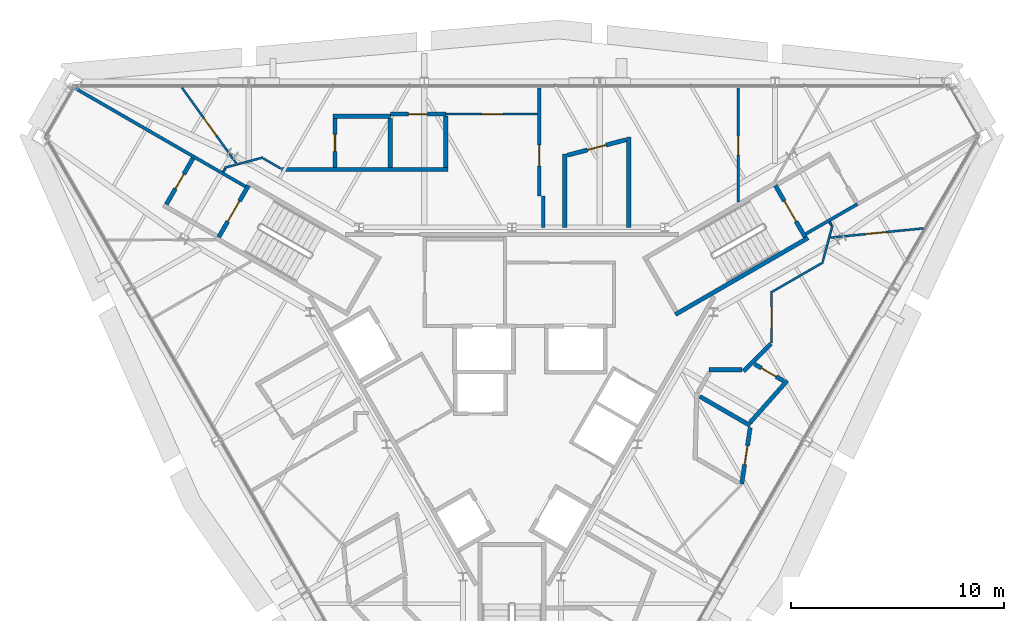
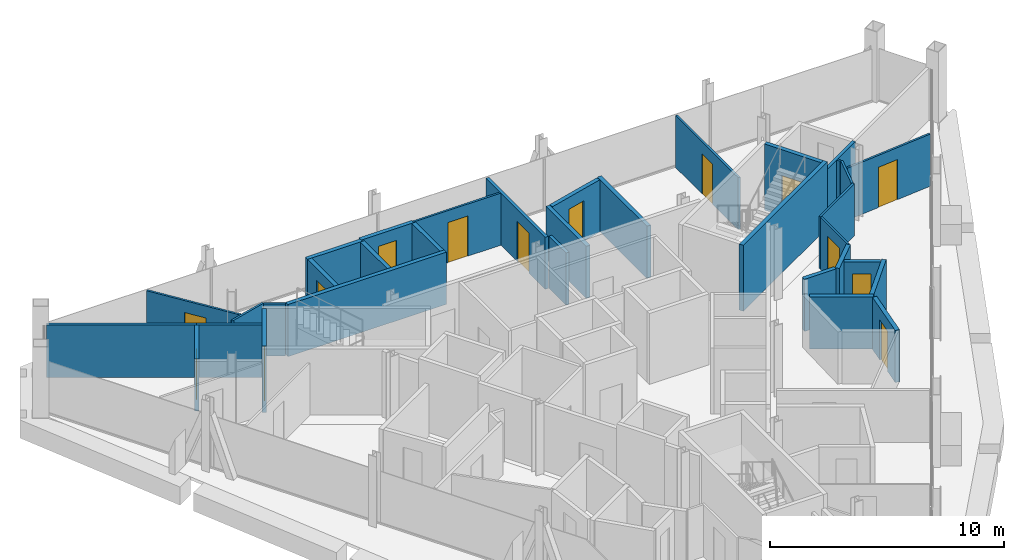
# One storey, part 10 of 13: 35 walls, 14 doors, 14 openings.
"""IFC4 building model written with IfcOpenShell, lengths in metres."""

from ifc_helpers import new_model, si_unit, direction, frame, frame_2d, origin, place, context, subcontext, project, spatial, rectangle, extrude, material, layer, layer_set, type_object, element, fill, save


model = new_model("IFC4")

# Units and contexts
model_context = context("Model", 3, precision=1e-05, world=origin(), true_north=direction((0.0, 1.0)))
body_context = subcontext(model_context, "Body", "Model", "MODEL_VIEW")
ifc_project = project(units=[si_unit("LENGTHUNIT", "METRE"), si_unit("AREAUNIT", "SQUARE_METRE"), si_unit("VOLUMEUNIT", "CUBIC_METRE"), si_unit("PLANEANGLEUNIT", "RADIAN"), si_unit("MASSUNIT", "GRAM", prefix="KILO")], contexts=[model_context])

# Site, building, storey
site_placement = place(None, origin())
site = spatial("IfcSite", under=ifc_project, at=site_placement, CompositionType="ELEMENT")
building_placement = place(site_placement, origin())
building = spatial("IfcBuilding", under=site, at=building_placement, Name="Verrane Prism Tower", CompositionType="ELEMENT")
storey_placement = place(building_placement, frame((0.0, 0.0, 282.5)))
storey = spatial("IfcBuildingStorey", under=building, at=storey_placement, Name="L71", CompositionType="ELEMENT", Elevation=282.5)

# Wall, opening, door
ifc_material_1 = material(Name="Concrete C40/50", Category="concrete")
ifc_layer_1 = layer(ifc_material_1, 0.199951171875)
ifc_layer_set_1 = layer_set([ifc_layer_1], Name="CW-200 stair core wall concrete C40/50 3 h")
wall_type_1 = type_object("IfcWallType", Name="CW-200 stair core wall concrete C40/50 3 h", PredefinedType="PARTITIONING", material=ifc_layer_set_1)
wall_1_placement = place(storey_placement, frame((13.777099609375, 6.337646484375, 0.0), z_axis=(0.0, 0.0, 1.0), x_axis=(-0.500049511043, 0.865996816683, 0.0)))
wall_1 = element("IfcWall", 1, at=wall_1_placement, inside=storey, type_object=wall_type_1, Name="Stair 1 enclosure wall", PredefinedType="PARTITIONING", context=body_context, shape_type="SweptSolid", body=[
    extrude(rectangle(XDim=2.800048828125, YDim=0.199951171875, at=frame_2d((1.39990234375, 0.0))), origin(), (0.0, 0.0, 1.0), 3.449951171875),
])
opening_1_placement = place(wall_1_placement, frame((0.849853515625, 0.0, 0.0)))
opening_1 = element("IfcOpeningElement", 2, at=opening_1_placement, cuts=wall_1, Name="Opening D69500", PredefinedType="OPENING", context=body_context, shape_type="SweptSolid", body=[
    extrude(rectangle(XDim=1.10009765625, YDim=2.10009765625, at=frame_2d((0.550048828125, 1.050048828125))), frame((0.0, 0.10986328125, 0.0), z_axis=(0.0, -1.0, 0.0), x_axis=(1.0, 0.0, 0.0)), (0.0, 0.0, 1.0), 0.219970703125),
])
ifc_material_2 = material(Name="Timber veneered door leaf", Category="wood")
door_type_1 = type_object("IfcDoorType", Name="DR-1100x2100 FD90 single leaf stair", OperationType="NOTDEFINED", PredefinedType="DOOR", material=ifc_material_2)
door_1_placement = place(opening_1_placement, origin())
door_1 = element("IfcDoor", 3, at=door_1_placement, inside=storey, type_object=door_type_1, Name="Stair 1 door", OperationType="SINGLE_SWING_LEFT", OverallHeight=2.10009765625, OverallWidth=1.10009765625, PredefinedType="DOOR", context=body_context, shape_type="SweptSolid", body=[
    extrude(rectangle(XDim=1.10009765625, YDim=2.10009765625, at=frame_2d((0.550048828125, 1.050048828125))), frame((0.0, 0.02490234375, 0.0), z_axis=(0.0, -1.0, 0.0), x_axis=(1.0, 0.0, 0.0)), (0.0, 0.0, 1.0), 0.050048828125),
])
fill(opening_1, door_1)

# Wall
wall_2_placement = place(storey_placement, frame((7.67822265625, 2.700927734375, 0.0), z_axis=(0.0, 0.0, 1.0), x_axis=(0.866018442252, 0.500012057535, 0.0)))
element("IfcWall", 4, at=wall_2_placement, inside=storey, type_object=wall_type_1, Name="Stair 1 enclosure wall", PredefinedType="PARTITIONING", context=body_context, shape_type="SweptSolid", body=[
    extrude(rectangle(XDim=7.199951171875, YDim=0.199951171875, at=frame_2d((3.60009765625, 0.0))), origin(), (0.0, 0.0, 1.0), 3.449951171875),
])

# Wall, opening, door
wall_3_placement = place(storey_placement, frame((-12.376953125, 8.762451171875, 0.0), z_axis=(0.0, 0.0, 1.0), x_axis=(-0.500049511043, -0.865996816683, 0.0)))
wall_3 = element("IfcWall", 5, at=wall_3_placement, inside=storey, type_object=wall_type_1, Name="Stair 2 enclosure wall", PredefinedType="PARTITIONING", context=body_context, shape_type="SweptSolid", body=[
    extrude(rectangle(XDim=2.800048828125, YDim=0.199951171875, at=frame_2d((1.39990234375, 0.0))), origin(), (0.0, 0.0, 1.0), 3.449951171875),
])
opening_2_placement = place(wall_3_placement, frame((0.849853515625, 0.0, 0.0)))
opening_2 = element("IfcOpeningElement", 6, at=opening_2_placement, cuts=wall_3, Name="Opening D69501", PredefinedType="OPENING", context=body_context, shape_type="SweptSolid", body=[
    extrude(rectangle(XDim=1.10009765625, YDim=2.10009765625, at=frame_2d((0.550048828125, 1.050048828125))), frame((0.0, 0.10986328125, 0.0), z_axis=(0.0, -1.0, 0.0), x_axis=(1.0, 0.0, 0.0)), (0.0, 0.0, 1.0), 0.219970703125),
])
door_2_placement = place(opening_2_placement, origin())
door_2 = element("IfcDoor", 7, at=door_2_placement, inside=storey, type_object=door_type_1, Name="Stair 2 door", OperationType="SINGLE_SWING_RIGHT", OverallHeight=2.10009765625, OverallWidth=1.10009765625, PredefinedType="DOOR", context=body_context, shape_type="SweptSolid", body=[
    extrude(rectangle(XDim=1.10009765625, YDim=2.10009765625, at=frame_2d((0.550048828125, 1.050048828125))), frame((0.0, 0.02490234375, 0.0), z_axis=(0.0, -1.0, 0.0), x_axis=(1.0, 0.0, 0.0)), (0.0, 0.0, 1.0), 0.050048828125),
])
fill(opening_2, door_2)

ifc_material_3 = material(Name="Gypsum board partition", Category="other")
ifc_layer_2 = layer(ifc_material_3, 0.10009765625)
ifc_layer_set_2 = layer_set([ifc_layer_2], Name="PW-100 room partition")
wall_type_2 = type_object("IfcWallType", Name="PW-100 room partition", PredefinedType="PARTITIONING", material=ifc_layer_set_2)
wall_4_placement = place(storey_placement, frame((-12.957275390625, 9.811767578125, 0.0), z_axis=(0.0, 0.0, 1.0), x_axis=(-0.58313691272, 0.812373892381, 0.0)))
wall_4 = element("IfcWall", 8, at=wall_4_placement, inside=storey, type_object=wall_type_2, Name="Room partition 006", PredefinedType="PARTITIONING", context=body_context, shape_type="SweptSolid", body=[
    extrude(rectangle(XDim=4.375, YDim=0.10009765625, at=frame_2d((2.1875, 0.0))), origin(), (0.0, 0.0, 1.0), 2.722900390625),
])
opening_3_placement = place(wall_4_placement, frame((1.59033203125, 0.0, 0.0)))
opening_3 = element("IfcOpeningElement", 9, at=opening_3_placement, cuts=wall_4, Name="Opening D69017", PredefinedType="OPENING", context=body_context, shape_type="SweptSolid", body=[
    extrude(rectangle(XDim=1.0, YDim=2.10009765625, at=frame_2d((0.5, 1.050048828125))), frame((0.0, 0.06005859375, 0.0), z_axis=(0.0, -1.0, 0.0), x_axis=(1.0, 0.0, 0.0)), (0.0, 0.0, 1.0), 0.1201171875),
])
ifc_material_4 = material(Name="Timber veneered door leaf", Category="wood")
door_type_2 = type_object("IfcDoorType", Name="DR-1000x2100 single leaf inner", OperationType="NOTDEFINED", PredefinedType="DOOR", material=ifc_material_4)
door_3_placement = place(opening_3_placement, origin())
door_3 = element("IfcDoor", 10, at=door_3_placement, inside=storey, type_object=door_type_2, Name="Living And Dining Room door", OperationType="SINGLE_SWING_RIGHT", OverallHeight=2.10009765625, OverallWidth=1.0, PredefinedType="DOOR", context=body_context, shape_type="SweptSolid", body=[
    extrude(rectangle(XDim=1.0, YDim=2.10009765625, at=frame_2d((0.5, 1.050048828125))), frame((0.0, 0.02490234375, 0.0), z_axis=(0.0, -1.0, 0.0), x_axis=(1.0, 0.0, 0.0)), (0.0, 0.0, 1.0), 0.050048828125),
])
fill(opening_3, door_3)

# Walls
wall_5_placement = place(storey_placement, frame((-13.5654296875, 9.404052734375, 0.0), z_axis=(0.0, 0.0, 1.0), x_axis=(0.500181256421, 0.865920730047, 0.0)))
element("IfcWall", 11, at=wall_5_placement, inside=storey, type_object=wall_type_2, Name="Room partition 008", PredefinedType="PARTITIONING", context=body_context, shape_type="SweptSolid", body=[
    extrude(rectangle(XDim=0.1689453125, YDim=0.10009765625, at=frame_2d((0.08447265625, 0.0))), origin(), (0.0, 0.0, 1.0), 2.722900390625),
])
wall_6_placement = place(storey_placement, frame((-13.494384765625, 9.59814453125, 0.0), z_axis=(0.0, 0.0, 1.0), x_axis=(0.96601104623, 0.258500790254, 0.0)))
element("IfcWall", 12, at=wall_6_placement, inside=storey, type_object=wall_type_2, Name="Room partition 009", PredefinedType="PARTITIONING", context=body_context, shape_type="SweptSolid", body=[
    extrude(rectangle(XDim=1.8671875, YDim=0.10009765625, at=frame_2d((0.93359375, 0.0))), origin(), (0.0, 0.0, 1.0), 2.722900390625),
])
wall_7_placement = place(storey_placement, frame((-11.678466796875, 10.032958984375, 0.0), z_axis=(0.0, 0.0, 1.0), x_axis=(0.866116627388, -0.499841962787, 0.0)))
element("IfcWall", 13, at=wall_7_placement, inside=storey, type_object=wall_type_2, Name="Room partition 013", PredefinedType="PARTITIONING", context=body_context, shape_type="SweptSolid", body=[
    extrude(rectangle(XDim=0.943115234375, YDim=0.10009765625, at=frame_2d((0.4716796875, 0.0))), origin(), (0.0, 0.0, 1.0), 2.722900390625),
])

# Wall, opening, door
wall_8_placement = place(storey_placement, frame((-3.10888671875, 12.118896484375, 0.0), z_axis=(0.0, 0.0, 1.0), x_axis=(1.0, 0.0, 0.0)))
wall_8 = element("IfcWall", 14, at=wall_8_placement, inside=storey, type_object=wall_type_2, Name="Room partition 034", PredefinedType="PARTITIONING", context=body_context, shape_type="SweptSolid", body=[
    extrude(rectangle(XDim=4.31982421875, YDim=0.10009765625, at=frame_2d((2.159912109375, 0.0))), origin(), (0.0, 0.0, 1.0), 2.722900390625),
])
opening_4_placement = place(wall_8_placement, frame((1.699951171875, 0.0, 0.0)))
opening_4 = element("IfcOpeningElement", 15, at=opening_4_placement, cuts=wall_8, Name="Opening D69015", PredefinedType="OPENING", context=body_context, shape_type="SweptSolid", body=[
    extrude(rectangle(XDim=1.0, YDim=2.10009765625, at=frame_2d((0.5, 1.050048828125))), frame((0.0, 0.06005859375, 0.0), z_axis=(0.0, -1.0, 0.0), x_axis=(1.0, 0.0, 0.0)), (0.0, 0.0, 1.0), 0.1201171875),
])
door_4_placement = place(opening_4_placement, origin())
door_4 = element("IfcDoor", 16, at=door_4_placement, inside=storey, type_object=door_type_2, Name="Entrance Foyer door", OperationType="SINGLE_SWING_LEFT", OverallHeight=2.10009765625, OverallWidth=1.0, PredefinedType="DOOR", context=body_context, shape_type="SweptSolid", body=[
    extrude(rectangle(XDim=1.0, YDim=2.10009765625, at=frame_2d((0.5, 1.050048828125))), frame((0.0, 0.02490234375, 0.0), z_axis=(0.0, -1.0, 0.0), x_axis=(1.0, 0.0, 0.0)), (0.0, 0.0, 1.0), 0.050048828125),
])
fill(opening_4, door_4)

wall_9_placement = place(storey_placement, frame((10.631103515625, 13.35107421875, 0.0), z_axis=(0.0, 0.0, 1.0), x_axis=(0.0, -1.0, 0.0)))
wall_9 = element("IfcWall", 17, at=wall_9_placement, inside=storey, type_object=wall_type_2, Name="Room partition 061", PredefinedType="PARTITIONING", context=body_context, shape_type="SweptSolid", body=[
    extrude(rectangle(XDim=5.365966796875, YDim=0.10009765625, at=frame_2d((2.68310546875, 0.0))), origin(), (0.0, 0.0, 1.0), 2.722900390625),
])
opening_5_placement = place(wall_9_placement, frame((2.26611328125, 0.0, 0.0)))
opening_5 = element("IfcOpeningElement", 18, at=opening_5_placement, cuts=wall_9, Name="Opening D69010", PredefinedType="OPENING", context=body_context, shape_type="SweptSolid", body=[
    extrude(rectangle(XDim=0.89990234375, YDim=2.10009765625, at=frame_2d((0.449951171875, 1.050048828125))), frame((0.0, 0.06005859375, 0.0), z_axis=(0.0, -1.0, 0.0), x_axis=(1.0, 0.0, 0.0)), (0.0, 0.0, 1.0), 0.1201171875),
])
ifc_material_5 = material(Name="Timber veneered door leaf", Category="wood")
door_type_3 = type_object("IfcDoorType", Name="DR-900x2100 single leaf inner", OperationType="NOTDEFINED", PredefinedType="DOOR", material=ifc_material_5)
door_5_placement = place(opening_5_placement, origin())
door_5 = element("IfcDoor", 19, at=door_5_placement, inside=storey, type_object=door_type_3, Name="Living And Dining Room door", OperationType="SINGLE_SWING_LEFT", OverallHeight=2.10009765625, OverallWidth=0.89990234375, PredefinedType="DOOR", context=body_context, shape_type="SweptSolid", body=[
    extrude(rectangle(XDim=0.89990234375, YDim=2.10009765625, at=frame_2d((0.449951171875, 1.050048828125))), frame((0.0, 0.02490234375, 0.0), z_axis=(0.0, -1.0, 0.0), x_axis=(1.0, 0.0, 0.0)), (0.0, 0.0, 1.0), 0.050048828125),
])
fill(opening_5, door_5)

wall_10_placement = place(storey_placement, frame((12.198974609375, 3.681884765625, 0.0), z_axis=(0.0, 0.0, 1.0), x_axis=(0.0, -1.0, 0.0)))
wall_10 = element("IfcWall", 20, at=wall_10_placement, inside=storey, type_object=wall_type_2, Name="Room partition 066", PredefinedType="PARTITIONING", context=body_context, shape_type="SweptSolid", body=[
    extrude(rectangle(XDim=2.330810546875, YDim=0.10009765625, at=frame_2d((1.16552734375, 0.0))), origin(), (0.0, 0.0, 1.0), 2.722900390625),
])
opening_6_placement = place(wall_10_placement, frame((0.631103515625, 0.0, 0.0)))
opening_6 = element("IfcOpeningElement", 21, at=opening_6_placement, cuts=wall_10, Name="Opening D69006", PredefinedType="OPENING", context=body_context, shape_type="SweptSolid", body=[
    extrude(rectangle(XDim=1.0, YDim=2.10009765625, at=frame_2d((0.5, 1.050048828125))), frame((0.0, 0.06005859375, 0.0), z_axis=(0.0, -1.0, 0.0), x_axis=(1.0, 0.0, 0.0)), (0.0, 0.0, 1.0), 0.1201171875),
])
door_6_placement = place(opening_6_placement, origin())
door_6 = element("IfcDoor", 22, at=door_6_placement, inside=storey, type_object=door_type_2, Name="Entrance Foyer door", OperationType="SINGLE_SWING_LEFT", OverallHeight=2.10009765625, OverallWidth=1.0, PredefinedType="DOOR", context=body_context, shape_type="SweptSolid", body=[
    extrude(rectangle(XDim=1.0, YDim=2.10009765625, at=frame_2d((0.5, 1.050048828125))), frame((0.0, 0.02490234375, 0.0), z_axis=(0.0, -1.0, 0.0), x_axis=(1.0, 0.0, 0.0)), (0.0, 0.0, 1.0), 0.050048828125),
])
fill(opening_6, door_6)

# Walls
wall_11_placement = place(storey_placement, frame((12.15576171875, 3.72705078125, 0.0), z_axis=(0.0, 0.0, 1.0), x_axis=(0.866012137121, 0.500022977831, 0.0)))
element("IfcWall", 23, at=wall_11_placement, inside=storey, type_object=wall_type_2, Name="Room partition 067", PredefinedType="PARTITIONING", context=body_context, shape_type="SweptSolid", body=[
    extrude(rectangle(XDim=2.859619140625, YDim=0.10009765625, at=frame_2d((1.4296875, 0.0))), origin(), (0.0, 0.0, 1.0), 2.722900390625),
])
wall_12_placement = place(storey_placement, frame((14.607177734375, 5.19970703125, 0.0), z_axis=(0.0, 0.0, 1.0), x_axis=(0.258549793661, 0.965997931777, 0.0)))
element("IfcWall", 24, at=wall_12_placement, inside=storey, type_object=wall_type_2, Name="Room partition 071", PredefinedType="PARTITIONING", context=body_context, shape_type="SweptSolid", body=[
    extrude(rectangle(XDim=1.746826171875, YDim=0.10009765625, at=frame_2d((0.87353515625, 0.0))), origin(), (0.0, 0.0, 1.0), 2.722900390625),
])
wall_13_placement = place(storey_placement, frame((14.926513671875, 7.046875, 0.0), z_axis=(0.0, 0.0, 1.0), x_axis=(0.497687197367, -0.867356589631, 0.0)))
element("IfcWall", 25, at=wall_13_placement, inside=storey, type_object=wall_type_2, Name="Room partition 073", PredefinedType="PARTITIONING", context=body_context, shape_type="SweptSolid", body=[
    extrude(rectangle(XDim=0.169677734375, YDim=0.10009765625, at=frame_2d((0.0849609375, 0.0))), origin(), (0.0, 0.0, 1.0), 2.722900390625),
])

# Wall, opening, door
wall_14_placement = place(storey_placement, frame((14.975830078125, 6.315185546875, 0.0), z_axis=(0.0, 0.0, 1.0), x_axis=(0.995082940066, 0.09904515329, 0.0)))
wall_14 = element("IfcWall", 26, at=wall_14_placement, inside=storey, type_object=wall_type_2, Name="Room partition 074", PredefinedType="PARTITIONING", context=body_context, shape_type="SweptSolid", body=[
    extrude(rectangle(XDim=4.375244140625, YDim=0.10009765625, at=frame_2d((2.1875, 0.0))), origin(), (0.0, 0.0, 1.0), 2.722900390625),
])
opening_7_placement = place(wall_14_placement, frame((1.627685546875, 0.0, 0.0)))
opening_7 = element("IfcOpeningElement", 27, at=opening_7_placement, cuts=wall_14, Name="Opening D69008", PredefinedType="OPENING", context=body_context, shape_type="SweptSolid", body=[
    extrude(rectangle(XDim=1.0, YDim=2.10009765625, at=frame_2d((0.5, 1.050048828125))), frame((0.0, 0.06005859375, 0.0), z_axis=(0.0, -1.0, 0.0), x_axis=(1.0, 0.0, 0.0)), (0.0, 0.0, 1.0), 0.1201171875),
])
door_7_placement = place(opening_7_placement, origin())
door_7 = element("IfcDoor", 28, at=door_7_placement, inside=storey, type_object=door_type_2, Name="Living And Dining Room door", OperationType="SINGLE_SWING_RIGHT", OverallHeight=2.10009765625, OverallWidth=1.0, PredefinedType="DOOR", context=body_context, shape_type="SweptSolid", body=[
    extrude(rectangle(XDim=1.0, YDim=2.10009765625, at=frame_2d((0.5, 1.050048828125))), frame((0.0, 0.02490234375, 0.0), z_axis=(0.0, -1.0, 0.0), x_axis=(1.0, 0.0, 0.0)), (0.0, 0.0, 1.0), 0.050048828125),
])
fill(opening_7, door_7)

# Walls
ifc_material_6 = material(Name="Gypsum board partition", Category="other")
ifc_layer_3 = layer(ifc_material_6, 0.14990234375)
ifc_layer_set_3 = layer_set([ifc_layer_3], Name="PW-150 demising wall 1 h")
wall_type_3 = type_object("IfcWallType", Name="PW-150 demising wall 1 h", PredefinedType="PARTITIONING", material=ifc_layer_set_3)
wall_15_placement = place(storey_placement, frame((-20.505859375, 13.323974609375, 0.0), z_axis=(0.0, 0.0, 1.0), x_axis=(0.866004971522, -0.500035388047, 0.0)))
element("IfcWall", 29, at=wall_15_placement, inside=storey, type_object=wall_type_3, Name="Demising wall 001", PredefinedType="PARTITIONING", context=body_context, shape_type="SweptSolid", body=[
    extrude(rectangle(XDim=6.41552734375, YDim=0.14990234375, at=frame_2d((3.207763671875, 0.0))), origin(), (0.0, 0.0, 1.0), 2.722900390625),
])
wall_16_placement = place(storey_placement, frame((-14.945068359375, 10.114013671875, 0.0), z_axis=(0.0, 0.0, 1.0), x_axis=(0.865969158485, -0.500097407065, 0.0)))
element("IfcWall", 30, at=wall_16_placement, inside=storey, type_object=wall_type_3, Name="Demising wall 007", PredefinedType="PARTITIONING", context=body_context, shape_type="SweptSolid", body=[
    extrude(rectangle(XDim=2.79931640625, YDim=0.14990234375, at=frame_2d((1.399658203125, 0.0))), origin(), (0.0, 0.0, 1.0), 2.722900390625),
])

# Wall, opening, door
wall_17_placement = place(storey_placement, frame((1.285888671875, 13.35107421875, 0.0), z_axis=(0.0, 0.0, 1.0), x_axis=(0.0, -1.0, 0.0)))
wall_17 = element("IfcWall", 31, at=wall_17_placement, inside=storey, type_object=wall_type_3, Name="Demising wall 042", PredefinedType="PARTITIONING", context=body_context, shape_type="SweptSolid", body=[
    extrude(rectangle(XDim=5.08203125, YDim=0.14990234375, at=frame_2d((2.541015625, 0.0))), origin(), (0.0, 0.0, 1.0), 2.722900390625),
])
opening_8_placement = place(wall_17_placement, frame((2.681884765625, 0.0, 0.0)))
opening_8 = element("IfcOpeningElement", 32, at=opening_8_placement, cuts=wall_17, Name="Opening D69011", PredefinedType="OPENING", context=body_context, shape_type="SweptSolid", body=[
    extrude(rectangle(XDim=1.0, YDim=2.10009765625, at=frame_2d((0.5, 1.050048828125))), frame((0.0, 0.0849609375, 0.0), z_axis=(0.0, -1.0, 0.0), x_axis=(1.0, 0.0, 0.0)), (0.0, 0.0, 1.0), 0.169921875),
])
ifc_material_7 = material(Name="Timber veneered door leaf", Category="wood")
door_type_4 = type_object("IfcDoorType", Name="DR-1000x2100 FD20 single leaf inner", OperationType="NOTDEFINED", PredefinedType="DOOR", material=ifc_material_7)
door_8_placement = place(opening_8_placement, origin())
door_8 = element("IfcDoor", 33, at=door_8_placement, inside=storey, type_object=door_type_4, Name="Entrance Foyer door", OperationType="SINGLE_SWING_RIGHT", OverallHeight=2.10009765625, OverallWidth=1.0, PredefinedType="DOOR", context=body_context, shape_type="SweptSolid", body=[
    extrude(rectangle(XDim=1.0, YDim=2.10009765625, at=frame_2d((0.5, 1.050048828125))), frame((0.0, 0.02490234375, 0.0), z_axis=(0.0, -1.0, 0.0), x_axis=(1.0, 0.0, 0.0)), (0.0, 0.0, 1.0), 0.050048828125),
])
fill(opening_8, door_8)

# Walls
wall_18_placement = place(storey_placement, frame((1.468994140625, 6.800048828125, 0.0), z_axis=(0.0, 0.0, 1.0), x_axis=(0.0, 1.0, 0.0)))
element("IfcWall", 34, at=wall_18_placement, inside=storey, type_object=wall_type_3, Name="Demising wall 044", PredefinedType="PARTITIONING", context=body_context, shape_type="SweptSolid", body=[
    extrude(rectangle(XDim=1.468994140625, YDim=0.14990234375, at=frame_2d((0.734375, 0.0))), origin(), (0.0, 0.0, 1.0), 2.722900390625),
])
wall_19_placement = place(storey_placement, frame((13.805908203125, 6.487060546875, 0.0), z_axis=(0.0, 0.0, 1.0), x_axis=(0.866056369097, 0.49994636267, 0.0)))
element("IfcWall", 35, at=wall_19_placement, inside=storey, type_object=wall_type_3, Name="Demising wall 070", PredefinedType="PARTITIONING", context=body_context, shape_type="SweptSolid", body=[
    extrude(rectangle(XDim=2.800048828125, YDim=0.14990234375, at=frame_2d((1.39990234375, 0.0))), origin(), (0.0, 0.0, 1.0), 2.722900390625),
])

# Wall, opening, door
ifc_material_8 = material(Name="Gypsum board partition", Category="other")
ifc_layer_4 = layer(ifc_material_8, 0.199951171875)
ifc_layer_set_4 = layer_set([ifc_layer_4], Name="PW-200 plumbing wall")
wall_type_4 = type_object("IfcWallType", Name="PW-200 plumbing wall", PredefinedType="PARTITIONING", material=ifc_layer_set_4)
wall_20_placement = place(storey_placement, frame((-14.985107421875, 10.044677734375, 0.0), z_axis=(0.0, 0.0, 1.0), x_axis=(-0.499995137693, -0.86602821102, 0.0)))
wall_20 = element("IfcWall", 36, at=wall_20_placement, inside=storey, type_object=wall_type_4, Name="Plumbing wall 004", PredefinedType="PARTITIONING", context=body_context, shape_type="SweptSolid", body=[
    extrude(rectangle(XDim=2.505859375, YDim=0.199951171875, at=frame_2d((1.2529296875, 0.0))), origin(), (0.0, 0.0, 1.0), 2.722900390625),
])
opening_9_placement = place(wall_20_placement, frame((0.85595703125, 0.0, 0.0)))
opening_9 = element("IfcOpeningElement", 37, at=opening_9_placement, cuts=wall_20, Name="Opening D69023", PredefinedType="OPENING", context=body_context, shape_type="SweptSolid", body=[
    extrude(rectangle(XDim=0.800048828125, YDim=2.10009765625, at=frame_2d((0.39990234375, 1.050048828125))), frame((0.0, 0.10986328125, 0.0), z_axis=(0.0, -1.0, 0.0), x_axis=(1.0, 0.0, 0.0)), (0.0, 0.0, 1.0), 0.219970703125),
])
ifc_material_9 = material(Name="Timber veneered door leaf", Category="wood")
door_type_5 = type_object("IfcDoorType", Name="DR-800x2100 single leaf bath", OperationType="NOTDEFINED", PredefinedType="DOOR", material=ifc_material_9)
door_9_placement = place(opening_9_placement, origin())
door_9 = element("IfcDoor", 38, at=door_9_placement, inside=storey, type_object=door_type_5, Name="Master Bathroom door", OperationType="SINGLE_SWING_RIGHT", OverallHeight=2.10009765625, OverallWidth=0.800048828125, PredefinedType="DOOR", context=body_context, shape_type="SweptSolid", body=[
    extrude(rectangle(XDim=0.800048828125, YDim=2.10009765625, at=frame_2d((0.39990234375, 1.050048828125))), frame((0.0, 0.02490234375, 0.0), z_axis=(0.0, -1.0, 0.0), x_axis=(1.0, 0.0, 0.0)), (0.0, 0.0, 1.0), 0.050048828125),
])
fill(opening_9, door_9)

# Wall
wall_21_placement = place(storey_placement, frame((-10.837890625, 9.51904296875, 0.0), z_axis=(0.0, 0.0, 1.0), x_axis=(1.0, 0.0, 0.0)))
element("IfcWall", 39, at=wall_21_placement, inside=storey, type_object=wall_type_4, Name="Plumbing wall 015", PredefinedType="PARTITIONING", context=body_context, shape_type="SweptSolid", body=[
    extrude(rectangle(XDim=7.823974609375, YDim=0.199951171875, at=frame_2d((3.912109375, 0.0))), origin(), (0.0, 0.0, 1.0), 2.722900390625),
])

# Wall, opening, door
wall_22_placement = place(storey_placement, frame((-8.31396484375, 11.9189453125, 0.0), z_axis=(0.0, 0.0, 1.0), x_axis=(0.0, -1.0, 0.0)))
wall_22 = element("IfcWall", 40, at=wall_22_placement, inside=storey, type_object=wall_type_4, Name="Plumbing wall 017", PredefinedType="PARTITIONING", context=body_context, shape_type="SweptSolid", body=[
    extrude(rectangle(XDim=2.300048828125, YDim=0.199951171875, at=frame_2d((1.14990234375, 0.0))), origin(), (0.0, 0.0, 1.0), 2.722900390625),
])
opening_10_placement = place(wall_22_placement, frame((0.75, 0.0, 0.0)))
opening_10 = element("IfcOpeningElement", 41, at=opening_10_placement, cuts=wall_22, Name="Opening D69018", PredefinedType="OPENING", context=body_context, shape_type="SweptSolid", body=[
    extrude(rectangle(XDim=0.800048828125, YDim=2.10009765625, at=frame_2d((0.39990234375, 1.050048828125))), frame((0.0, 0.10986328125, 0.0), z_axis=(0.0, -1.0, 0.0), x_axis=(1.0, 0.0, 0.0)), (0.0, 0.0, 1.0), 0.219970703125),
])
ifc_material_10 = material(Name="Timber veneered door leaf", Category="wood")
door_type_6 = type_object("IfcDoorType", Name="DR-800x2100 single leaf inner", OperationType="NOTDEFINED", PredefinedType="DOOR", material=ifc_material_10)
door_10_placement = place(opening_10_placement, origin())
door_10 = element("IfcDoor", 42, at=door_10_placement, inside=storey, type_object=door_type_6, Name="Bathroom door", OperationType="SINGLE_SWING_LEFT", OverallHeight=2.10009765625, OverallWidth=0.800048828125, PredefinedType="DOOR", context=body_context, shape_type="SweptSolid", body=[
    extrude(rectangle(XDim=0.800048828125, YDim=2.10009765625, at=frame_2d((0.39990234375, 1.050048828125))), frame((0.0, 0.02490234375, 0.0), z_axis=(0.0, -1.0, 0.0), x_axis=(1.0, 0.0, 0.0)), (0.0, 0.0, 1.0), 0.050048828125),
])
fill(opening_10, door_10)

# Walls
wall_23_placement = place(storey_placement, frame((-8.4140625, 12.01904296875, 0.0), z_axis=(0.0, 0.0, 1.0), x_axis=(1.0, 0.0, 0.0)))
element("IfcWall", 43, at=wall_23_placement, inside=storey, type_object=wall_type_4, Name="Plumbing wall 018", PredefinedType="PARTITIONING", context=body_context, shape_type="SweptSolid", body=[
    extrude(rectangle(XDim=2.699951171875, YDim=0.199951171875, at=frame_2d((1.35009765625, 0.0))), origin(), (0.0, 0.0, 1.0), 2.722900390625),
])
wall_24_placement = place(storey_placement, frame((-5.714111328125, 9.618896484375, 0.0), z_axis=(0.0, 0.0, 1.0), x_axis=(0.0, 1.0, 0.0)))
element("IfcWall", 44, at=wall_24_placement, inside=storey, type_object=wall_type_4, Name="Plumbing wall 025", PredefinedType="PARTITIONING", context=body_context, shape_type="SweptSolid", body=[
    extrude(rectangle(XDim=2.300048828125, YDim=0.199951171875, at=frame_2d((1.14990234375, 0.0))), origin(), (0.0, 0.0, 1.0), 2.722900390625),
])

# Wall, opening, door
wall_25_placement = place(storey_placement, frame((-3.10888671875, 12.118896484375, 0.0), z_axis=(0.0, 0.0, 1.0), x_axis=(-1.0, 0.0, 0.0)))
wall_25 = element("IfcWall", 45, at=wall_25_placement, inside=storey, type_object=wall_type_4, Name="Plumbing wall 026", PredefinedType="PARTITIONING", context=body_context, shape_type="SweptSolid", body=[
    extrude(rectangle(XDim=2.605224609375, YDim=0.199951171875, at=frame_2d((1.302734375, 0.0))), origin(), (0.0, 0.0, 1.0), 2.722900390625),
])
opening_11_placement = place(wall_25_placement, frame((0.85498046875, 0.0, 0.0)))
opening_11 = element("IfcOpeningElement", 46, at=opening_11_placement, cuts=wall_25, Name="Opening D69016", PredefinedType="OPENING", context=body_context, shape_type="SweptSolid", body=[
    extrude(rectangle(XDim=0.89990234375, YDim=2.10009765625, at=frame_2d((0.449951171875, 1.050048828125))), frame((0.0, 0.10986328125, 0.0), z_axis=(0.0, -1.0, 0.0), x_axis=(1.0, 0.0, 0.0)), (0.0, 0.0, 1.0), 0.219970703125),
])
door_11_placement = place(opening_11_placement, origin())
door_11 = element("IfcDoor", 47, at=door_11_placement, inside=storey, type_object=door_type_3, Name="Kitchen door", OperationType="SINGLE_SWING_LEFT", OverallHeight=2.10009765625, OverallWidth=0.89990234375, PredefinedType="DOOR", context=body_context, shape_type="SweptSolid", body=[
    extrude(rectangle(XDim=0.89990234375, YDim=2.10009765625, at=frame_2d((0.449951171875, 1.050048828125))), frame((0.0, 0.02490234375, 0.0), z_axis=(0.0, -1.0, 0.0), x_axis=(1.0, 0.0, 0.0)), (0.0, 0.0, 1.0), 0.050048828125),
])
fill(opening_11, door_11)

# Walls
wall_26_placement = place(storey_placement, frame((-3.114013671875, 9.618896484375, 0.0), z_axis=(0.0, 0.0, 1.0), x_axis=(0.0, 1.0, 0.0)))
element("IfcWall", 48, at=wall_26_placement, inside=storey, type_object=wall_type_4, Name="Plumbing wall 033", PredefinedType="PARTITIONING", context=body_context, shape_type="SweptSolid", body=[
    extrude(rectangle(XDim=2.400146484375, YDim=0.199951171875, at=frame_2d((1.2001953125, 0.0))), origin(), (0.0, 0.0, 1.0), 2.722900390625),
])
wall_27_placement = place(storey_placement, frame((2.486083984375, 6.800048828125, 0.0), z_axis=(0.0, 0.0, 1.0), x_axis=(0.0, 1.0, 0.0)))
element("IfcWall", 49, at=wall_27_placement, inside=storey, type_object=wall_type_4, Name="Plumbing wall 048", PredefinedType="PARTITIONING", context=body_context, shape_type="SweptSolid", body=[
    extrude(rectangle(XDim=3.452880859375, YDim=0.199951171875, at=frame_2d((1.7265625, 0.0))), origin(), (0.0, 0.0, 1.0), 2.722900390625),
])

# Wall, opening, door
wall_28_placement = place(storey_placement, frame((5.3603515625, 10.911865234375, 0.0), z_axis=(0.0, 0.0, 1.0), x_axis=(-0.966866921155, -0.255280936963, 0.0)))
wall_28 = element("IfcWall", 50, at=wall_28_placement, inside=storey, type_object=wall_type_4, Name="Plumbing wall 049", PredefinedType="PARTITIONING", context=body_context, shape_type="SweptSolid", body=[
    extrude(rectangle(XDim=2.852783203125, YDim=0.199951171875, at=frame_2d((1.42626953125, 0.0))), origin(), (0.0, 0.0, 1.0), 2.722900390625),
])
opening_12_placement = place(wall_28_placement, frame((0.972900390625, 0.0, 0.0)))
opening_12 = element("IfcOpeningElement", 51, at=opening_12_placement, cuts=wall_28, Name="Opening D69012", PredefinedType="OPENING", context=body_context, shape_type="SweptSolid", body=[
    extrude(rectangle(XDim=0.89990234375, YDim=2.10009765625, at=frame_2d((0.449951171875, 1.050048828125))), frame((0.0, 0.10986328125, 0.0), z_axis=(0.0, -1.0, 0.0), x_axis=(1.0, 0.0, 0.0)), (0.0, 0.0, 1.0), 0.219970703125),
])
door_12_placement = place(opening_12_placement, origin())
door_12 = element("IfcDoor", 52, at=door_12_placement, inside=storey, type_object=door_type_3, Name="Kitchen door", OperationType="SINGLE_SWING_LEFT", OverallHeight=2.10009765625, OverallWidth=0.89990234375, PredefinedType="DOOR", context=body_context, shape_type="SweptSolid", body=[
    extrude(rectangle(XDim=0.89990234375, YDim=2.10009765625, at=frame_2d((0.449951171875, 1.050048828125))), frame((0.0, 0.02490234375, 0.0), z_axis=(0.0, -1.0, 0.0), x_axis=(1.0, 0.0, 0.0)), (0.0, 0.0, 1.0), 0.050048828125),
])
fill(opening_12, door_12)

# Walls
wall_29_placement = place(storey_placement, frame((5.486083984375, 6.800048828125, 0.0), z_axis=(0.0, 0.0, 1.0), x_axis=(0.0, 1.0, 0.0)))
element("IfcWall", 53, at=wall_29_placement, inside=storey, type_object=wall_type_4, Name="Plumbing wall 053", PredefinedType="PARTITIONING", context=body_context, shape_type="SweptSolid", body=[
    extrude(rectangle(XDim=4.244873046875, YDim=0.199951171875, at=frame_2d((2.12255859375, 0.0))), origin(), (0.0, 0.0, 1.0), 2.722900390625),
])
wall_30_placement = place(storey_placement, frame((8.828125, -1.149169921875, 0.0), z_axis=(0.0, 0.0, 1.0), x_axis=(0.865853899269, -0.50029693695, 0.0)))
element("IfcWall", 54, at=wall_30_placement, inside=storey, type_object=wall_type_4, Name="Plumbing wall 059", PredefinedType="PARTITIONING", context=body_context, shape_type="SweptSolid", body=[
    extrude(rectangle(XDim=2.734130859375, YDim=0.199951171875, at=frame_2d((1.3671875, 0.0))), origin(), (0.0, 0.0, 1.0), 2.722900390625),
])
wall_31_placement = place(storey_placement, frame((9.2529296875, 0.10107421875, 0.0), z_axis=(0.0, 0.0, 1.0), x_axis=(1.0, 0.0, 0.0)))
element("IfcWall", 55, at=wall_31_placement, inside=storey, type_object=wall_type_4, Name="Plumbing wall 060", PredefinedType="PARTITIONING", context=body_context, shape_type="SweptSolid", body=[
    extrude(rectangle(XDim=1.55615234375, YDim=0.199951171875, at=frame_2d((0.778076171875, 0.0))), origin(), (0.0, 0.0, 1.0), 2.722900390625),
])

# Wall, opening, door
wall_32_placement = place(storey_placement, frame((10.79736328125, -5.25634765625, 0.0), z_axis=(0.0, 0.0, 1.0), x_axis=(0.148961207986, 0.988843040384, 0.0)))
wall_32 = element("IfcWall", 56, at=wall_32_placement, inside=storey, type_object=wall_type_4, Name="Plumbing wall 062", PredefinedType="PARTITIONING", context=body_context, shape_type="SweptSolid", body=[
    extrude(rectangle(XDim=2.673095703125, YDim=0.199951171875, at=frame_2d((1.33642578125, 0.0))), origin(), (0.0, 0.0, 1.0), 2.722900390625),
])
opening_13_placement = place(wall_32_placement, frame((0.919921875, 0.0, 0.0)))
opening_13 = element("IfcOpeningElement", 57, at=opening_13_placement, cuts=wall_32, Name="Opening D69007", PredefinedType="OPENING", context=body_context, shape_type="SweptSolid", body=[
    extrude(rectangle(XDim=0.89990234375, YDim=2.10009765625, at=frame_2d((0.449951171875, 1.050048828125))), frame((0.0, 0.10986328125, 0.0), z_axis=(0.0, -1.0, 0.0), x_axis=(1.0, 0.0, 0.0)), (0.0, 0.0, 1.0), 0.219970703125),
])
door_13_placement = place(opening_13_placement, origin())
door_13 = element("IfcDoor", 58, at=door_13_placement, inside=storey, type_object=door_type_3, Name="Kitchen door", OperationType="SINGLE_SWING_LEFT", OverallHeight=2.10009765625, OverallWidth=0.89990234375, PredefinedType="DOOR", context=body_context, shape_type="SweptSolid", body=[
    extrude(rectangle(XDim=0.89990234375, YDim=2.10009765625, at=frame_2d((0.449951171875, 1.050048828125))), frame((0.0, 0.02490234375, 0.0), z_axis=(0.0, -1.0, 0.0), x_axis=(1.0, 0.0, 0.0)), (0.0, 0.0, 1.0), 0.050048828125),
])
fill(opening_13, door_13)

# Walls
wall_33_placement = place(storey_placement, frame((10.878173828125, 0.0302734375, 0.0), z_axis=(0.0, 0.0, 1.0), x_axis=(0.707173379423, 0.707040176677, 0.0)))
element("IfcWall", 59, at=wall_33_placement, inside=storey, type_object=wall_type_4, Name="Plumbing wall 063", PredefinedType="PARTITIONING", context=body_context, shape_type="SweptSolid", body=[
    extrude(rectangle(XDim=1.832763671875, YDim=0.199951171875, at=frame_2d((0.91650390625, 0.0))), origin(), (0.0, 0.0, 1.0), 2.722900390625),
])
wall_34_placement = place(storey_placement, frame((11.1884765625, -2.377197265625, 0.0), z_axis=(0.0, 0.0, 1.0), x_axis=(0.663045631266, 0.748578981043, 0.0)))
element("IfcWall", 60, at=wall_34_placement, inside=storey, type_object=wall_type_4, Name="Plumbing wall 064", PredefinedType="PARTITIONING", context=body_context, shape_type="SweptSolid", body=[
    extrude(rectangle(XDim=2.634521484375, YDim=0.199951171875, at=frame_2d((1.3173828125, 0.0))), origin(), (0.0, 0.0, 1.0), 2.722900390625),
])

# Wall, opening, door
wall_35_placement = place(storey_placement, frame((12.7607421875, -0.41748046875, 0.0), z_axis=(0.0, 0.0, 1.0), x_axis=(-0.866030680601, 0.499990860175, 0.0)))
wall_35 = element("IfcWall", 61, at=wall_35_placement, inside=storey, type_object=wall_type_4, Name="Plumbing wall 065", PredefinedType="PARTITIONING", context=body_context, shape_type="SweptSolid", body=[
    extrude(rectangle(XDim=1.57470703125, YDim=0.199951171875, at=frame_2d((0.787353515625, 0.0))), origin(), (0.0, 0.0, 1.0), 2.722900390625),
])
opening_14_placement = place(wall_35_placement, frame((0.405029296875, 0.0, 0.0)))
opening_14 = element("IfcOpeningElement", 62, at=opening_14_placement, cuts=wall_35, Name="Opening D69009", PredefinedType="OPENING", context=body_context, shape_type="SweptSolid", body=[
    extrude(rectangle(XDim=0.800048828125, YDim=2.10009765625, at=frame_2d((0.39990234375, 1.050048828125))), frame((0.0, 0.10986328125, 0.0), z_axis=(0.0, -1.0, 0.0), x_axis=(1.0, 0.0, 0.0)), (0.0, 0.0, 1.0), 0.219970703125),
])
door_14_placement = place(opening_14_placement, origin())
door_14 = element("IfcDoor", 63, at=door_14_placement, inside=storey, type_object=door_type_6, Name="Bathroom door", OperationType="SINGLE_SWING_RIGHT", OverallHeight=2.10009765625, OverallWidth=0.800048828125, PredefinedType="DOOR", context=body_context, shape_type="SweptSolid", body=[
    extrude(rectangle(XDim=0.800048828125, YDim=2.10009765625, at=frame_2d((0.39990234375, 1.050048828125))), frame((0.0, 0.02490234375, 0.0), z_axis=(0.0, -1.0, 0.0), x_axis=(1.0, 0.0, 0.0)), (0.0, 0.0, 1.0), 0.050048828125),
])
fill(opening_14, door_14)

save(model, "model.ifc")
